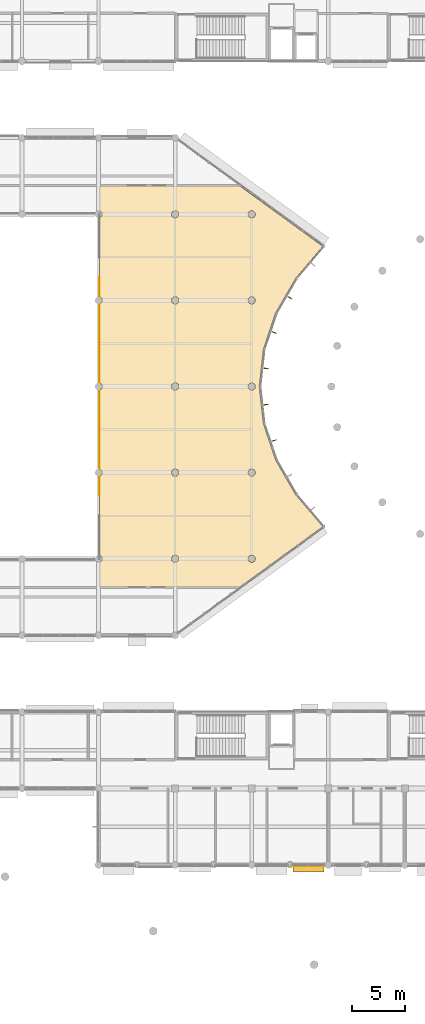
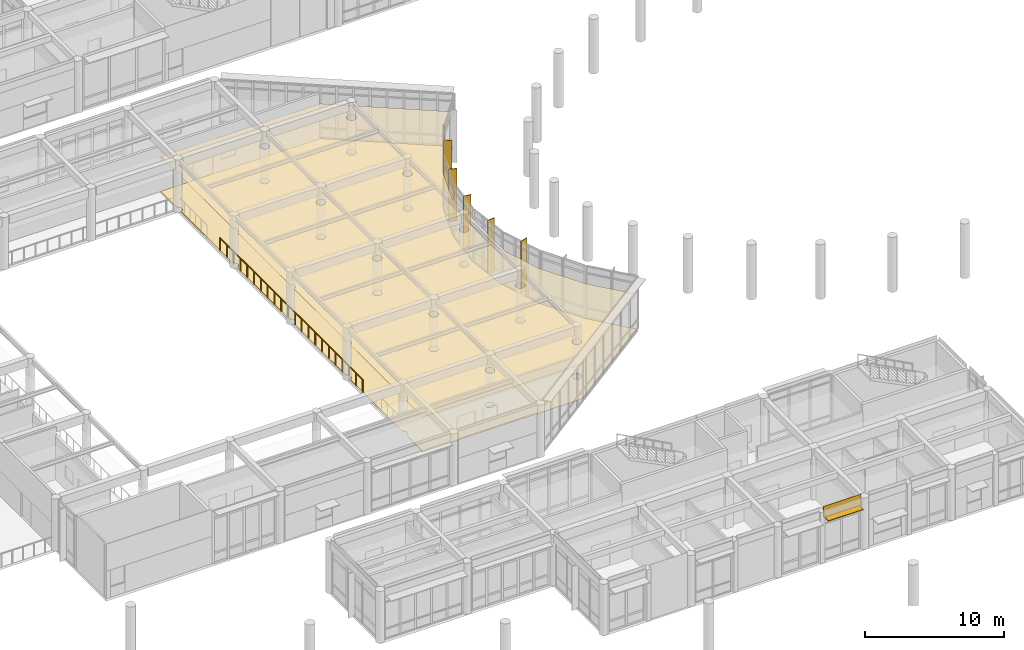
# One storey, part 71 of 92: 6 shading devices, 3 coverings, 1 railing.
"""IFC4 building model written with IfcOpenShell, lengths in metres."""

from ifc_helpers import new_model, si_unit, direction, frame, origin, origin_2d, place, context, subcontext, project, spatial, polyline, rectangle, circle, outline, extrude, material, layer, layer_set, type_object, element, save


model = new_model("IFC4")

# Units and contexts
model_context = context("Model", 3, precision=1e-05, world=origin(), true_north=direction((0.0, 1.0)))
body_context = subcontext(model_context, "Body", "Model", "MODEL_VIEW")
ifc_project = project(units=[si_unit("LENGTHUNIT", "METRE"), si_unit("AREAUNIT", "SQUARE_METRE"), si_unit("VOLUMEUNIT", "CUBIC_METRE"), si_unit("PLANEANGLEUNIT", "RADIAN"), si_unit("MASSUNIT", "GRAM", prefix="KILO")], contexts=[model_context])

# Site, building, storey
site_placement = place(None, origin())
site = spatial("IfcSite", under=ifc_project, at=site_placement, CompositionType="ELEMENT")
building_placement = place(site_placement, origin())
building = spatial("IfcBuilding", under=site, at=building_placement, Name="Namkhue Oval Health Centre", CompositionType="ELEMENT")
storey_placement = place(building_placement, frame((0.0, 0.0, 4.800048828125)))
storey = spatial("IfcBuildingStorey", under=building, at=storey_placement, Name="L01", CompositionType="ELEMENT", Elevation=4.800048828125)

# Coverings
ifc_material_1 = material(Name="Acoustic mineral-fibre cleanroom ceiling", Category="gypsum")
ifc_layer_1 = layer(ifc_material_1, 0.02001953125)
ifc_layer_set_1 = layer_set([ifc_layer_1], Name="Acoustic mineral-fibre cleanroom ceiling")
covering_type_1 = type_object("IfcCoveringType", Name="ACOUSTIC CLEANROOM CEILING 20", PredefinedType="CEILING", material=ifc_layer_set_1)
covering_1_placement = place(storey_placement, frame((0.0, 0.0, 3.050048828125)))
element("IfcCovering", 1, at=covering_1_placement, inside=storey, type_object=covering_type_1, Name="Acoustic Ceiling L01-140 Waiting Hall Mezzanine Gallery", PredefinedType="CEILING", context=body_context, shape_type="SweptSolid", body=[
    extrude(outline(polyline([(63.720703125, 78.239990234375), (71.493896484375, 72.582275390625), (68.959716796875, 69.609130859375), (67.060546875, 66.335205078125), (65.904052734375, 62.906494140625), (65.514892578125, 59.39990234375), (65.904052734375, 55.8935546875), (67.060546875, 52.46484375), (68.959716796875, 49.19091796875), (71.493896484375, 46.2177734375), (63.720703125, 40.56005859375), (50.5, 40.56005859375), (50.5, 42.8818359375), (50.5673828125, 42.909912109375), (50.636962890625, 42.963134765625), (50.690185546875, 43.032470703125), (50.7236328125, 43.11328125), (50.735107421875, 43.199951171875), (50.7236328125, 43.28662109375), (50.690185546875, 43.367431640625), (50.636962890625, 43.43701171875), (50.5673828125, 43.489990234375), (50.5, 43.51806640625), (50.5, 50.98193359375), (50.5673828125, 51.010009765625), (50.636962890625, 51.06298828125), (50.690185546875, 51.132568359375), (50.7236328125, 51.21337890625), (50.735107421875, 51.300048828125), (50.7236328125, 51.38671875), (50.690185546875, 51.467529296875), (50.636962890625, 51.536865234375), (50.5673828125, 51.590087890625), (50.5, 51.6181640625), (50.5, 59.081787109375), (50.5673828125, 59.10986328125), (50.636962890625, 59.1630859375), (50.690185546875, 59.232421875), (50.7236328125, 59.313232421875), (50.735107421875, 59.39990234375), (50.7236328125, 59.48681640625), (50.690185546875, 59.5673828125), (50.636962890625, 59.636962890625), (50.5673828125, 59.690185546875), (50.5, 59.718017578125), (50.5, 67.181884765625), (50.5673828125, 67.2099609375), (50.636962890625, 67.26318359375), (50.690185546875, 67.33251953125), (50.7236328125, 67.413330078125), (50.735107421875, 67.5), (50.7236328125, 67.586669921875), (50.690185546875, 67.66748046875), (50.636962890625, 67.73681640625), (50.5673828125, 67.7900390625), (50.5, 67.818115234375), (50.5, 75.281982421875), (50.5673828125, 75.309814453125), (50.636962890625, 75.363037109375), (50.690185546875, 75.4326171875), (50.7236328125, 75.51318359375), (50.735107421875, 75.60009765625), (50.7236328125, 75.686767578125), (50.690185546875, 75.767578125), (50.636962890625, 75.8369140625), (50.5673828125, 75.89013671875), (50.5, 75.918212890625), (50.5, 78.239990234375), (63.720703125, 78.239990234375)]), holes=[polyline([(57.60009765625, 42.864990234375), (57.686767578125, 42.87646484375), (57.767578125, 42.909912109375), (57.8369140625, 42.963134765625), (57.89013671875, 43.032470703125), (57.923583984375, 43.11328125), (57.93505859375, 43.199951171875), (57.923583984375, 43.28662109375), (57.89013671875, 43.367431640625), (57.8369140625, 43.43701171875), (57.767578125, 43.489990234375), (57.686767578125, 43.523681640625), (57.60009765625, 43.534912109375), (57.51318359375, 43.523681640625), (57.4326171875, 43.489990234375), (57.363037109375, 43.43701171875), (57.309814453125, 43.367431640625), (57.2763671875, 43.28662109375), (57.264892578125, 43.199951171875), (57.2763671875, 43.11328125), (57.309814453125, 43.032470703125), (57.363037109375, 42.963134765625), (57.4326171875, 42.909912109375), (57.51318359375, 42.87646484375), (57.60009765625, 42.864990234375)]), polyline([(64.71337890625, 42.87646484375), (64.800048828125, 42.864990234375), (64.88671875, 42.87646484375), (64.967529296875, 42.909912109375), (65.036865234375, 42.963134765625), (65.090087890625, 43.032470703125), (65.12353515625, 43.11328125), (65.135009765625, 43.199951171875), (65.12353515625, 43.28662109375), (65.090087890625, 43.367431640625), (65.036865234375, 43.43701171875), (64.967529296875, 43.489990234375), (64.88671875, 43.523681640625), (64.800048828125, 43.534912109375), (64.71337890625, 43.523681640625), (64.632568359375, 43.489990234375), (64.56298828125, 43.43701171875), (64.510009765625, 43.367431640625), (64.476318359375, 43.28662109375), (64.465087890625, 43.199951171875), (64.476318359375, 43.11328125), (64.510009765625, 43.032470703125), (64.56298828125, 42.963134765625), (64.632568359375, 42.909912109375), (64.71337890625, 42.87646484375)]), polyline([(64.71337890625, 50.976318359375), (64.800048828125, 50.965087890625), (64.88671875, 50.976318359375), (64.967529296875, 51.010009765625), (65.036865234375, 51.06298828125), (65.090087890625, 51.132568359375), (65.12353515625, 51.21337890625), (65.135009765625, 51.300048828125), (65.12353515625, 51.38671875), (65.090087890625, 51.467529296875), (65.036865234375, 51.536865234375), (64.967529296875, 51.590087890625), (64.88671875, 51.62353515625), (64.800048828125, 51.635009765625), (64.71337890625, 51.62353515625), (64.632568359375, 51.590087890625), (64.56298828125, 51.536865234375), (64.510009765625, 51.467529296875), (64.476318359375, 51.38671875), (64.465087890625, 51.300048828125), (64.476318359375, 51.21337890625), (64.510009765625, 51.132568359375), (64.56298828125, 51.06298828125), (64.632568359375, 51.010009765625), (64.71337890625, 50.976318359375)]), polyline([(57.60009765625, 50.965087890625), (57.686767578125, 50.976318359375), (57.767578125, 51.010009765625), (57.8369140625, 51.06298828125), (57.89013671875, 51.132568359375), (57.923583984375, 51.21337890625), (57.93505859375, 51.300048828125), (57.923583984375, 51.38671875), (57.89013671875, 51.467529296875), (57.8369140625, 51.536865234375), (57.767578125, 51.590087890625), (57.686767578125, 51.62353515625), (57.60009765625, 51.635009765625), (57.51318359375, 51.62353515625), (57.4326171875, 51.590087890625), (57.363037109375, 51.536865234375), (57.309814453125, 51.467529296875), (57.2763671875, 51.38671875), (57.264892578125, 51.300048828125), (57.2763671875, 51.21337890625), (57.309814453125, 51.132568359375), (57.363037109375, 51.06298828125), (57.4326171875, 51.010009765625), (57.51318359375, 50.976318359375), (57.60009765625, 50.965087890625)]), polyline([(64.71337890625, 59.076416015625), (64.800048828125, 59.06494140625), (64.88671875, 59.076416015625), (64.967529296875, 59.10986328125), (65.036865234375, 59.1630859375), (65.090087890625, 59.232421875), (65.12353515625, 59.313232421875), (65.135009765625, 59.39990234375), (65.12353515625, 59.48681640625), (65.090087890625, 59.5673828125), (65.036865234375, 59.636962890625), (64.967529296875, 59.690185546875), (64.88671875, 59.7236328125), (64.800048828125, 59.735107421875), (64.71337890625, 59.7236328125), (64.632568359375, 59.690185546875), (64.56298828125, 59.636962890625), (64.510009765625, 59.5673828125), (64.476318359375, 59.48681640625), (64.465087890625, 59.39990234375), (64.476318359375, 59.313232421875), (64.510009765625, 59.232421875), (64.56298828125, 59.1630859375), (64.632568359375, 59.10986328125), (64.71337890625, 59.076416015625)]), polyline([(57.60009765625, 59.06494140625), (57.686767578125, 59.076416015625), (57.767578125, 59.10986328125), (57.8369140625, 59.1630859375), (57.89013671875, 59.232421875), (57.923583984375, 59.313232421875), (57.93505859375, 59.39990234375), (57.923583984375, 59.48681640625), (57.89013671875, 59.5673828125), (57.8369140625, 59.636962890625), (57.767578125, 59.690185546875), (57.686767578125, 59.7236328125), (57.60009765625, 59.735107421875), (57.51318359375, 59.7236328125), (57.4326171875, 59.690185546875), (57.363037109375, 59.636962890625), (57.309814453125, 59.5673828125), (57.2763671875, 59.48681640625), (57.264892578125, 59.39990234375), (57.2763671875, 59.313232421875), (57.309814453125, 59.232421875), (57.363037109375, 59.1630859375), (57.4326171875, 59.10986328125), (57.51318359375, 59.076416015625), (57.60009765625, 59.06494140625)]), polyline([(64.71337890625, 67.176513671875), (64.800048828125, 67.1650390625), (64.88671875, 67.176513671875), (64.967529296875, 67.2099609375), (65.036865234375, 67.26318359375), (65.090087890625, 67.33251953125), (65.12353515625, 67.413330078125), (65.135009765625, 67.5), (65.12353515625, 67.586669921875), (65.090087890625, 67.66748046875), (65.036865234375, 67.73681640625), (64.967529296875, 67.7900390625), (64.88671875, 67.823486328125), (64.800048828125, 67.8349609375), (64.71337890625, 67.823486328125), (64.632568359375, 67.7900390625), (64.56298828125, 67.73681640625), (64.510009765625, 67.66748046875), (64.476318359375, 67.586669921875), (64.465087890625, 67.5), (64.476318359375, 67.413330078125), (64.510009765625, 67.33251953125), (64.56298828125, 67.26318359375), (64.632568359375, 67.2099609375), (64.71337890625, 67.176513671875)]), polyline([(57.60009765625, 67.1650390625), (57.686767578125, 67.176513671875), (57.767578125, 67.2099609375), (57.8369140625, 67.26318359375), (57.89013671875, 67.33251953125), (57.923583984375, 67.413330078125), (57.93505859375, 67.5), (57.923583984375, 67.586669921875), (57.89013671875, 67.66748046875), (57.8369140625, 67.73681640625), (57.767578125, 67.7900390625), (57.686767578125, 67.823486328125), (57.60009765625, 67.8349609375), (57.51318359375, 67.823486328125), (57.4326171875, 67.7900390625), (57.363037109375, 67.73681640625), (57.309814453125, 67.66748046875), (57.2763671875, 67.586669921875), (57.264892578125, 67.5), (57.2763671875, 67.413330078125), (57.309814453125, 67.33251953125), (57.363037109375, 67.26318359375), (57.4326171875, 67.2099609375), (57.51318359375, 67.176513671875), (57.60009765625, 67.1650390625)]), polyline([(64.71337890625, 75.2763671875), (64.800048828125, 75.264892578125), (64.88671875, 75.2763671875), (64.967529296875, 75.309814453125), (65.036865234375, 75.363037109375), (65.090087890625, 75.4326171875), (65.12353515625, 75.51318359375), (65.135009765625, 75.60009765625), (65.12353515625, 75.686767578125), (65.090087890625, 75.767578125), (65.036865234375, 75.8369140625), (64.967529296875, 75.89013671875), (64.88671875, 75.923583984375), (64.800048828125, 75.93505859375), (64.71337890625, 75.923583984375), (64.632568359375, 75.89013671875), (64.56298828125, 75.8369140625), (64.510009765625, 75.767578125), (64.476318359375, 75.686767578125), (64.465087890625, 75.60009765625), (64.476318359375, 75.51318359375), (64.510009765625, 75.4326171875), (64.56298828125, 75.363037109375), (64.632568359375, 75.309814453125), (64.71337890625, 75.2763671875)]), polyline([(57.60009765625, 75.264892578125), (57.686767578125, 75.2763671875), (57.767578125, 75.309814453125), (57.8369140625, 75.363037109375), (57.89013671875, 75.4326171875), (57.923583984375, 75.51318359375), (57.93505859375, 75.60009765625), (57.923583984375, 75.686767578125), (57.89013671875, 75.767578125), (57.8369140625, 75.8369140625), (57.767578125, 75.89013671875), (57.686767578125, 75.923583984375), (57.60009765625, 75.93505859375), (57.51318359375, 75.923583984375), (57.4326171875, 75.89013671875), (57.363037109375, 75.8369140625), (57.309814453125, 75.767578125), (57.2763671875, 75.686767578125), (57.264892578125, 75.60009765625), (57.2763671875, 75.51318359375), (57.309814453125, 75.4326171875), (57.363037109375, 75.363037109375), (57.4326171875, 75.309814453125), (57.51318359375, 75.2763671875), (57.60009765625, 75.264892578125)])]), origin(), (0.0, 0.0, 1.0), 0.02001953125),
])
ifc_material_2 = material(Name="Homogeneous anti-bacterial clinical vinyl flooring", Category="plastic")
ifc_layer_2 = layer(ifc_material_2, 0.014892578125)
ifc_layer_set_2 = layer_set([ifc_layer_2], Name="Homogeneous anti-bacterial clinical vinyl flooring")
covering_type_2 = type_object("IfcCoveringType", Name="CLINICAL ANTIBACTERIAL VINYL FLOORING 15", PredefinedType="FLOORING", material=ifc_layer_set_2)
covering_2_placement = place(storey_placement, origin())
element("IfcCovering", 2, at=covering_2_placement, inside=storey, type_object=covering_type_2, Name="Clinical Flooring L01-140 Waiting Hall Mezzanine Gallery", PredefinedType="FLOORING", context=body_context, shape_type="SweptSolid", body=[
    extrude(outline(polyline([(63.720703125, 78.239990234375), (71.493896484375, 72.582275390625), (68.959716796875, 69.609130859375), (67.060546875, 66.335205078125), (65.904052734375, 62.906494140625), (65.514892578125, 59.39990234375), (65.904052734375, 55.8935546875), (67.060546875, 52.46484375), (68.959716796875, 49.19091796875), (71.493896484375, 46.2177734375), (63.720703125, 40.56005859375), (50.5, 40.56005859375), (50.5, 42.8818359375), (50.5673828125, 42.909912109375), (50.636962890625, 42.963134765625), (50.690185546875, 43.032470703125), (50.7236328125, 43.11328125), (50.735107421875, 43.199951171875), (50.7236328125, 43.28662109375), (50.690185546875, 43.367431640625), (50.636962890625, 43.43701171875), (50.5673828125, 43.489990234375), (50.5, 43.51806640625), (50.5, 50.98193359375), (50.5673828125, 51.010009765625), (50.636962890625, 51.06298828125), (50.690185546875, 51.132568359375), (50.7236328125, 51.21337890625), (50.735107421875, 51.300048828125), (50.7236328125, 51.38671875), (50.690185546875, 51.467529296875), (50.636962890625, 51.536865234375), (50.5673828125, 51.590087890625), (50.5, 51.6181640625), (50.5, 59.081787109375), (50.5673828125, 59.10986328125), (50.636962890625, 59.1630859375), (50.690185546875, 59.232421875), (50.7236328125, 59.313232421875), (50.735107421875, 59.39990234375), (50.7236328125, 59.48681640625), (50.690185546875, 59.5673828125), (50.636962890625, 59.636962890625), (50.5673828125, 59.690185546875), (50.5, 59.718017578125), (50.5, 67.181884765625), (50.5673828125, 67.2099609375), (50.636962890625, 67.26318359375), (50.690185546875, 67.33251953125), (50.7236328125, 67.413330078125), (50.735107421875, 67.5), (50.7236328125, 67.586669921875), (50.690185546875, 67.66748046875), (50.636962890625, 67.73681640625), (50.5673828125, 67.7900390625), (50.5, 67.818115234375), (50.5, 75.281982421875), (50.5673828125, 75.309814453125), (50.636962890625, 75.363037109375), (50.690185546875, 75.4326171875), (50.7236328125, 75.51318359375), (50.735107421875, 75.60009765625), (50.7236328125, 75.686767578125), (50.690185546875, 75.767578125), (50.636962890625, 75.8369140625), (50.5673828125, 75.89013671875), (50.5, 75.918212890625), (50.5, 78.239990234375), (63.720703125, 78.239990234375)]), holes=[polyline([(57.60009765625, 42.864990234375), (57.686767578125, 42.87646484375), (57.767578125, 42.909912109375), (57.8369140625, 42.963134765625), (57.89013671875, 43.032470703125), (57.923583984375, 43.11328125), (57.93505859375, 43.199951171875), (57.923583984375, 43.28662109375), (57.89013671875, 43.367431640625), (57.8369140625, 43.43701171875), (57.767578125, 43.489990234375), (57.686767578125, 43.523681640625), (57.60009765625, 43.534912109375), (57.51318359375, 43.523681640625), (57.4326171875, 43.489990234375), (57.363037109375, 43.43701171875), (57.309814453125, 43.367431640625), (57.2763671875, 43.28662109375), (57.264892578125, 43.199951171875), (57.2763671875, 43.11328125), (57.309814453125, 43.032470703125), (57.363037109375, 42.963134765625), (57.4326171875, 42.909912109375), (57.51318359375, 42.87646484375), (57.60009765625, 42.864990234375)]), polyline([(64.71337890625, 42.87646484375), (64.800048828125, 42.864990234375), (64.88671875, 42.87646484375), (64.967529296875, 42.909912109375), (65.036865234375, 42.963134765625), (65.090087890625, 43.032470703125), (65.12353515625, 43.11328125), (65.135009765625, 43.199951171875), (65.12353515625, 43.28662109375), (65.090087890625, 43.367431640625), (65.036865234375, 43.43701171875), (64.967529296875, 43.489990234375), (64.88671875, 43.523681640625), (64.800048828125, 43.534912109375), (64.71337890625, 43.523681640625), (64.632568359375, 43.489990234375), (64.56298828125, 43.43701171875), (64.510009765625, 43.367431640625), (64.476318359375, 43.28662109375), (64.465087890625, 43.199951171875), (64.476318359375, 43.11328125), (64.510009765625, 43.032470703125), (64.56298828125, 42.963134765625), (64.632568359375, 42.909912109375), (64.71337890625, 42.87646484375)]), polyline([(64.71337890625, 50.976318359375), (64.800048828125, 50.965087890625), (64.88671875, 50.976318359375), (64.967529296875, 51.010009765625), (65.036865234375, 51.06298828125), (65.090087890625, 51.132568359375), (65.12353515625, 51.21337890625), (65.135009765625, 51.300048828125), (65.12353515625, 51.38671875), (65.090087890625, 51.467529296875), (65.036865234375, 51.536865234375), (64.967529296875, 51.590087890625), (64.88671875, 51.62353515625), (64.800048828125, 51.635009765625), (64.71337890625, 51.62353515625), (64.632568359375, 51.590087890625), (64.56298828125, 51.536865234375), (64.510009765625, 51.467529296875), (64.476318359375, 51.38671875), (64.465087890625, 51.300048828125), (64.476318359375, 51.21337890625), (64.510009765625, 51.132568359375), (64.56298828125, 51.06298828125), (64.632568359375, 51.010009765625), (64.71337890625, 50.976318359375)]), polyline([(57.60009765625, 50.965087890625), (57.686767578125, 50.976318359375), (57.767578125, 51.010009765625), (57.8369140625, 51.06298828125), (57.89013671875, 51.132568359375), (57.923583984375, 51.21337890625), (57.93505859375, 51.300048828125), (57.923583984375, 51.38671875), (57.89013671875, 51.467529296875), (57.8369140625, 51.536865234375), (57.767578125, 51.590087890625), (57.686767578125, 51.62353515625), (57.60009765625, 51.635009765625), (57.51318359375, 51.62353515625), (57.4326171875, 51.590087890625), (57.363037109375, 51.536865234375), (57.309814453125, 51.467529296875), (57.2763671875, 51.38671875), (57.264892578125, 51.300048828125), (57.2763671875, 51.21337890625), (57.309814453125, 51.132568359375), (57.363037109375, 51.06298828125), (57.4326171875, 51.010009765625), (57.51318359375, 50.976318359375), (57.60009765625, 50.965087890625)]), polyline([(64.71337890625, 59.076416015625), (64.800048828125, 59.06494140625), (64.88671875, 59.076416015625), (64.967529296875, 59.10986328125), (65.036865234375, 59.1630859375), (65.090087890625, 59.232421875), (65.12353515625, 59.313232421875), (65.135009765625, 59.39990234375), (65.12353515625, 59.48681640625), (65.090087890625, 59.5673828125), (65.036865234375, 59.636962890625), (64.967529296875, 59.690185546875), (64.88671875, 59.7236328125), (64.800048828125, 59.735107421875), (64.71337890625, 59.7236328125), (64.632568359375, 59.690185546875), (64.56298828125, 59.636962890625), (64.510009765625, 59.5673828125), (64.476318359375, 59.48681640625), (64.465087890625, 59.39990234375), (64.476318359375, 59.313232421875), (64.510009765625, 59.232421875), (64.56298828125, 59.1630859375), (64.632568359375, 59.10986328125), (64.71337890625, 59.076416015625)]), polyline([(57.60009765625, 59.06494140625), (57.686767578125, 59.076416015625), (57.767578125, 59.10986328125), (57.8369140625, 59.1630859375), (57.89013671875, 59.232421875), (57.923583984375, 59.313232421875), (57.93505859375, 59.39990234375), (57.923583984375, 59.48681640625), (57.89013671875, 59.5673828125), (57.8369140625, 59.636962890625), (57.767578125, 59.690185546875), (57.686767578125, 59.7236328125), (57.60009765625, 59.735107421875), (57.51318359375, 59.7236328125), (57.4326171875, 59.690185546875), (57.363037109375, 59.636962890625), (57.309814453125, 59.5673828125), (57.2763671875, 59.48681640625), (57.264892578125, 59.39990234375), (57.2763671875, 59.313232421875), (57.309814453125, 59.232421875), (57.363037109375, 59.1630859375), (57.4326171875, 59.10986328125), (57.51318359375, 59.076416015625), (57.60009765625, 59.06494140625)]), polyline([(64.71337890625, 67.176513671875), (64.800048828125, 67.1650390625), (64.88671875, 67.176513671875), (64.967529296875, 67.2099609375), (65.036865234375, 67.26318359375), (65.090087890625, 67.33251953125), (65.12353515625, 67.413330078125), (65.135009765625, 67.5), (65.12353515625, 67.586669921875), (65.090087890625, 67.66748046875), (65.036865234375, 67.73681640625), (64.967529296875, 67.7900390625), (64.88671875, 67.823486328125), (64.800048828125, 67.8349609375), (64.71337890625, 67.823486328125), (64.632568359375, 67.7900390625), (64.56298828125, 67.73681640625), (64.510009765625, 67.66748046875), (64.476318359375, 67.586669921875), (64.465087890625, 67.5), (64.476318359375, 67.413330078125), (64.510009765625, 67.33251953125), (64.56298828125, 67.26318359375), (64.632568359375, 67.2099609375), (64.71337890625, 67.176513671875)]), polyline([(57.60009765625, 67.1650390625), (57.686767578125, 67.176513671875), (57.767578125, 67.2099609375), (57.8369140625, 67.26318359375), (57.89013671875, 67.33251953125), (57.923583984375, 67.413330078125), (57.93505859375, 67.5), (57.923583984375, 67.586669921875), (57.89013671875, 67.66748046875), (57.8369140625, 67.73681640625), (57.767578125, 67.7900390625), (57.686767578125, 67.823486328125), (57.60009765625, 67.8349609375), (57.51318359375, 67.823486328125), (57.4326171875, 67.7900390625), (57.363037109375, 67.73681640625), (57.309814453125, 67.66748046875), (57.2763671875, 67.586669921875), (57.264892578125, 67.5), (57.2763671875, 67.413330078125), (57.309814453125, 67.33251953125), (57.363037109375, 67.26318359375), (57.4326171875, 67.2099609375), (57.51318359375, 67.176513671875), (57.60009765625, 67.1650390625)]), polyline([(64.71337890625, 75.2763671875), (64.800048828125, 75.264892578125), (64.88671875, 75.2763671875), (64.967529296875, 75.309814453125), (65.036865234375, 75.363037109375), (65.090087890625, 75.4326171875), (65.12353515625, 75.51318359375), (65.135009765625, 75.60009765625), (65.12353515625, 75.686767578125), (65.090087890625, 75.767578125), (65.036865234375, 75.8369140625), (64.967529296875, 75.89013671875), (64.88671875, 75.923583984375), (64.800048828125, 75.93505859375), (64.71337890625, 75.923583984375), (64.632568359375, 75.89013671875), (64.56298828125, 75.8369140625), (64.510009765625, 75.767578125), (64.476318359375, 75.686767578125), (64.465087890625, 75.60009765625), (64.476318359375, 75.51318359375), (64.510009765625, 75.4326171875), (64.56298828125, 75.363037109375), (64.632568359375, 75.309814453125), (64.71337890625, 75.2763671875)]), polyline([(57.60009765625, 75.264892578125), (57.686767578125, 75.2763671875), (57.767578125, 75.309814453125), (57.8369140625, 75.363037109375), (57.89013671875, 75.4326171875), (57.923583984375, 75.51318359375), (57.93505859375, 75.60009765625), (57.923583984375, 75.686767578125), (57.89013671875, 75.767578125), (57.8369140625, 75.8369140625), (57.767578125, 75.89013671875), (57.686767578125, 75.923583984375), (57.60009765625, 75.93505859375), (57.51318359375, 75.923583984375), (57.4326171875, 75.89013671875), (57.363037109375, 75.8369140625), (57.309814453125, 75.767578125), (57.2763671875, 75.686767578125), (57.264892578125, 75.60009765625), (57.2763671875, 75.51318359375), (57.309814453125, 75.4326171875), (57.363037109375, 75.363037109375), (57.4326171875, 75.309814453125), (57.51318359375, 75.2763671875), (57.60009765625, 75.264892578125)])]), origin(), (0.0, 0.0, 1.0), 0.014892578125),
])

# Railing
ifc_material_3 = material(Name="Brushed stainless steel 316L balustrade with laminated glass infill", Category="steel")
railing_type = type_object("IfcRailingType", Name="INTERIOR BALUSTRADE GUARD 1150", PredefinedType="BALUSTRADE", material=ifc_material_3)
railing_placement = place(storey_placement, frame((50.47998046875, 49.14990234375, 0.0)))
element("IfcRailing", 3, at=railing_placement, inside=storey, type_object=railing_type, Name="Waiting Hall L01 Mezzanine Atrium Guard 7", PredefinedType="BALUSTRADE", context=body_context, shape_type="SweptSolid", body=[
    extrude(circle(Radius=0.02392578125, at=origin_2d()), frame((0.0, 0.0, 1.1259765625), z_axis=(0.0, 1.0, 0.0), x_axis=(-1.0, 0.0, 0.0)), (0.0, 0.0, 1.0), 20.5),
    extrude(circle(Radius=0.02099609375, at=origin_2d()), origin(), (0.0, 0.0, 1.0), 1.101806640625),
    extrude(circle(Radius=0.02099609375, at=origin_2d()), frame((0.0, 0.97607421875, 0.0)), (0.0, 0.0, 1.0), 1.101806640625),
    extrude(circle(Radius=0.02099609375, at=origin_2d()), frame((0.0, 1.952392578125, 0.0)), (0.0, 0.0, 1.0), 1.101806640625),
    extrude(circle(Radius=0.02099609375, at=origin_2d()), frame((0.0, 2.928466796875, 0.0)), (0.0, 0.0, 1.0), 1.101806640625),
    extrude(circle(Radius=0.02099609375, at=origin_2d()), frame((0.0, 3.90478515625, 0.0)), (0.0, 0.0, 1.0), 1.101806640625),
    extrude(circle(Radius=0.02099609375, at=origin_2d()), frame((0.0, 4.880859375, 0.0)), (0.0, 0.0, 1.0), 1.101806640625),
    extrude(circle(Radius=0.02099609375, at=origin_2d()), frame((0.0, 5.857177734375, 0.0)), (0.0, 0.0, 1.0), 1.101806640625),
    extrude(circle(Radius=0.02099609375, at=origin_2d()), frame((0.0, 6.833251953125, 0.0)), (0.0, 0.0, 1.0), 1.101806640625),
    extrude(circle(Radius=0.02099609375, at=origin_2d()), frame((0.0, 7.8095703125, 0.0)), (0.0, 0.0, 1.0), 1.101806640625),
    extrude(circle(Radius=0.02099609375, at=origin_2d()), frame((0.0, 8.78564453125, 0.0)), (0.0, 0.0, 1.0), 1.101806640625),
    extrude(circle(Radius=0.02099609375, at=origin_2d()), frame((0.0, 9.761962890625, 0.0)), (0.0, 0.0, 1.0), 1.101806640625),
    extrude(circle(Radius=0.02099609375, at=origin_2d()), frame((0.0, 10.738037109375, 0.0)), (0.0, 0.0, 1.0), 1.101806640625),
    extrude(circle(Radius=0.02099609375, at=origin_2d()), frame((0.0, 11.71435546875, 0.0)), (0.0, 0.0, 1.0), 1.101806640625),
    extrude(circle(Radius=0.02099609375, at=origin_2d()), frame((0.0, 12.6904296875, 0.0)), (0.0, 0.0, 1.0), 1.101806640625),
    extrude(circle(Radius=0.02099609375, at=origin_2d()), frame((0.0, 13.666748046875, 0.0)), (0.0, 0.0, 1.0), 1.101806640625),
    extrude(circle(Radius=0.02099609375, at=origin_2d()), frame((0.0, 14.642822265625, 0.0)), (0.0, 0.0, 1.0), 1.101806640625),
    extrude(circle(Radius=0.02099609375, at=origin_2d()), frame((0.0, 15.619140625, 0.0)), (0.0, 0.0, 1.0), 1.101806640625),
    extrude(circle(Radius=0.02099609375, at=origin_2d()), frame((0.0, 16.59521484375, 0.0)), (0.0, 0.0, 1.0), 1.101806640625),
    extrude(circle(Radius=0.02099609375, at=origin_2d()), frame((0.0, 17.571533203125, 0.0)), (0.0, 0.0, 1.0), 1.101806640625),
    extrude(circle(Radius=0.02099609375, at=origin_2d()), frame((0.0, 18.547607421875, 0.0)), (0.0, 0.0, 1.0), 1.101806640625),
    extrude(circle(Radius=0.02099609375, at=origin_2d()), frame((0.0, 19.52392578125, 0.0)), (0.0, 0.0, 1.0), 1.101806640625),
    extrude(circle(Radius=0.02099609375, at=origin_2d()), frame((0.0, 20.5, 0.0)), (0.0, 0.0, 1.0), 1.101806640625),
])

# Shading devices
ifc_material_4 = material(Name="Anodised aluminium EN AW-6063 T6", Category="aluminium")
ifc_layer_3 = layer(ifc_material_4, 0.050048828125)
ifc_layer_set_3 = layer_set([ifc_layer_3], Name="Anodised aluminium EN AW-6063 T6")
shading_device_type_1 = type_object("IfcShadingDeviceType", Name="STORM SHUTTER LOUVRE 650", PredefinedType="SHUTTER", material=ifc_layer_set_3)
shading_device_placement = place(storey_placement, frame((70.12548828125, 14.074951171875, 3.784912109375), z_axis=(0.0, 0.0, 1.0), x_axis=(1.0, 0.0, 0.0)))
element("IfcShadingDevice", 4, at=shading_device_placement, inside=storey, type_object=shading_device_type_1, Name="Volume V4 L01 Horizontal Monsoon Sun Louvre 199", PredefinedType="SHUTTER", context=body_context, shape_type="SweptSolid", body=[
    extrude(rectangle(XDim=2.908935546875, YDim=0.64990234375, at=origin_2d()), origin(), (0.0, 0.0, 1.0), 0.06005859375),
])
shading_device_type_2 = type_object("IfcShadingDeviceType", Name="VERTICAL SOLAR FIN 600", PredefinedType="USERDEFINED", material=ifc_material_4)
for number, where, z_axis, x_axis, name in (
    (5, (66.808837890625, 54.2890625, 0.0), (0.0, 0.0, 1.0), (0.947545503457, 0.319620898688, 0.0), "Volume V1 L01 Extruded Aluminium Solar Fin 30"),
    (6, (66.052001953125, 57.684814453125, 0.0), (0.0, 0.0, 1.0), (0.993903362457, 0.110254732764, 0.0), "Volume V1 L01 Extruded Aluminium Solar Fin 31"),
    (7, (66.052001953125, 61.115234375, 0.0), (0.0, 0.0, 1.0), (0.993903362457, -0.110254732764, 0.0), "Volume V1 L01 Extruded Aluminium Solar Fin 32"),
    (8, (66.808837890625, 64.510986328125, 0.0), (0.0, 0.0, 1.0), (0.947545503457, -0.319620898688, 0.0), "Volume V1 L01 Extruded Aluminium Solar Fin 33"),
    (9, (68.308349609375, 67.799560546875, 0.0), (0.0, 0.0, 1.0), (0.864976307593, -0.501812701416, 0.0), "Volume V1 L01 Extruded Aluminium Solar Fin 34"),
):
    element("IfcShadingDevice", number, at=place(storey_placement, frame(where, z_axis=z_axis, x_axis=x_axis)), inside=storey, type_object=shading_device_type_2, Name=name, ObjectType="SOLAR FIN", PredefinedType="USERDEFINED", context=body_context, shape_type="SweptSolid", body=[
        extrude(rectangle(XDim=0.60009765625, YDim=0.06005859375, at=origin_2d()), origin(), (0.0, 0.0, 1.0), 4.60009765625),
    ])

# Covering
ifc_material_5 = material(Name="White glass-fibre reinforced concrete GRC rainscreen cladding", Category="concrete")
ifc_layer_4 = layer(ifc_material_5, 0.02490234375)
ifc_layer_set_4 = layer_set([ifc_layer_4], Name="White glass-fibre reinforced concrete GRC rainscreen cladding")
covering_type_3 = type_object("IfcCoveringType", Name="WHITE GRC RAINSCREEN CLADDING 25", PredefinedType="CLADDING", material=ifc_layer_set_4)
covering_3_placement = place(storey_placement, frame((70.12548828125, 14.3115234375, 3.840087890625), z_axis=(0.0, 0.0, 1.0), x_axis=(1.0, 0.0, 0.0)))
element("IfcCovering", 10, at=covering_3_placement, inside=storey, type_object=covering_type_3, Name="Volume V4 L01 Curtain Wall Spandrel Cladding 149", PredefinedType="CLADDING", context=body_context, shape_type="SweptSolid", body=[
    extrude(rectangle(XDim=3.09912109375, YDim=0.02490234375, at=origin_2d()), origin(), (0.0, 0.0, 1.0), 0.9599609375),
])

save(model, "model.ifc")
